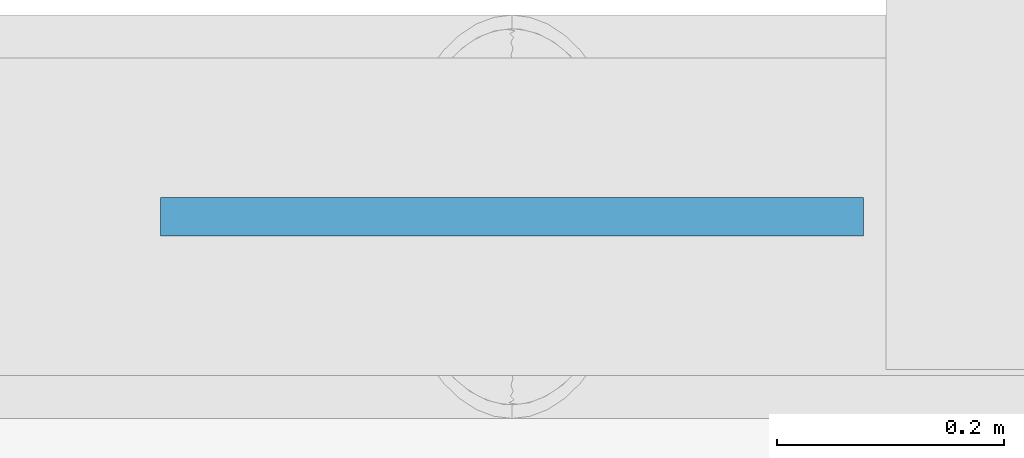
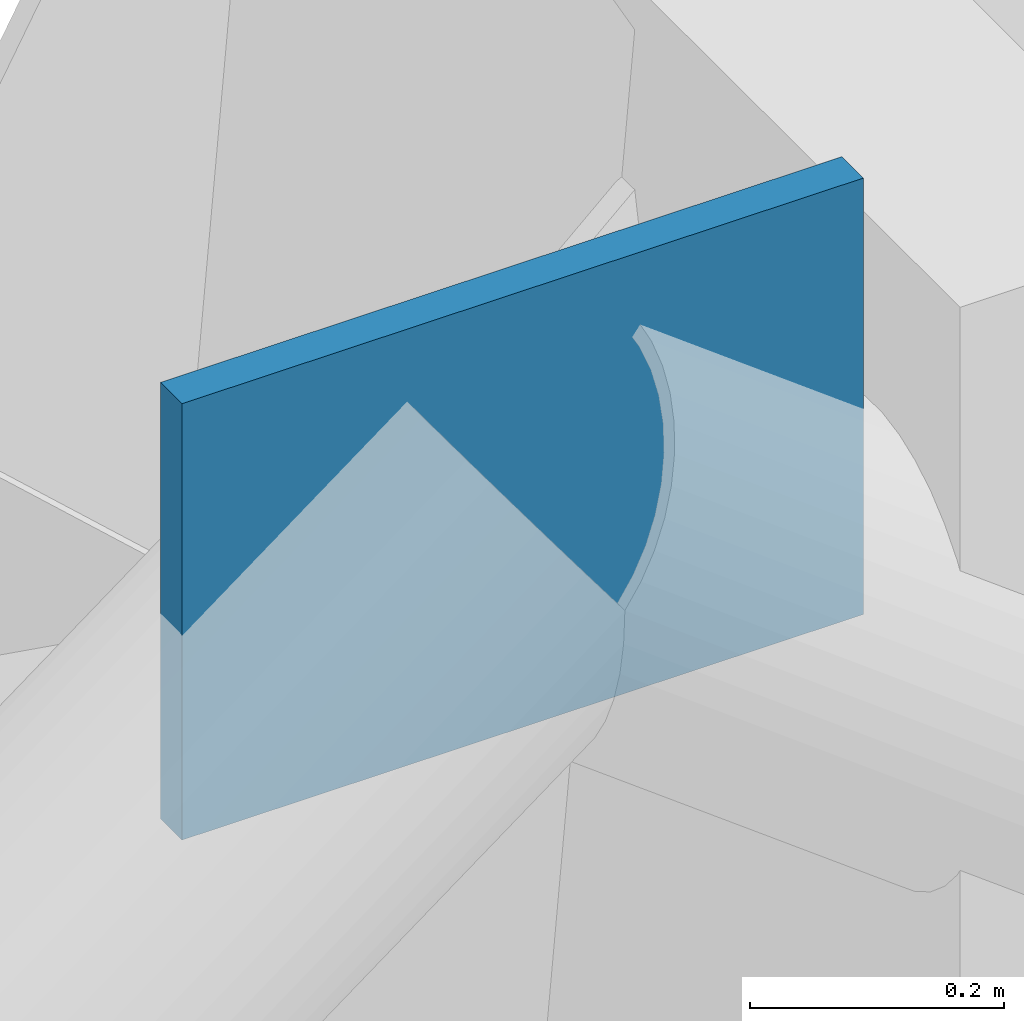
# One storey, part 26 of 52: 1 plate.
"""IFC4 building model written with IfcOpenShell, lengths in metres."""

from ifc_helpers import new_model, si_unit, derived_unit, direction, frame, origin, origin_2d, place, context, subcontext, project, spatial, rectangle, extrude, material, layer, layer_set, type_object, element, save


model = new_model("IFC4")

# Units and contexts
model_context = context("Model", 3, precision=1e-05, world=origin(), true_north=direction((0.0, 1.0)))
body_context = subcontext(model_context, "Body", "Model", "MODEL_VIEW")
ifc_project = project(units=[si_unit("LENGTHUNIT", "METRE"), si_unit("AREAUNIT", "SQUARE_METRE"), si_unit("VOLUMEUNIT", "CUBIC_METRE"), si_unit("PLANEANGLEUNIT", "RADIAN"), si_unit("MASSUNIT", "GRAM", prefix="KILO"), si_unit("THERMODYNAMICTEMPERATUREUNIT", "KELVIN"), derived_unit("THERMALTRANSMITTANCEUNIT", [(si_unit("POWERUNIT", "WATT"), 1), (si_unit("AREAUNIT", "SQUARE_METRE"), -1), (si_unit("THERMODYNAMICTEMPERATUREUNIT", "KELVIN"), -1)])], contexts=[model_context])

# Site, building, storey
site_placement = place(None, origin())
site = spatial("IfcSite", under=ifc_project, at=site_placement, CompositionType="ELEMENT")
building_placement = place(site_placement, origin())
building = spatial("IfcBuilding", under=site, at=building_placement, Name="Haiyu Intermodal Mobility Hub", CompositionType="ELEMENT")
storey_placement = place(building_placement, frame((0.0, 0.0, 21.199951171875)))
storey = spatial("IfcBuildingStorey", under=building, at=storey_placement, Name="L05", CompositionType="ELEMENT", Elevation=21.199951171875)

# Plate
ifc_material = material(Name="Steel Q355C", Category="steel")
ifc_layer = layer(ifc_material, 0.033935546875)
ifc_layer_set = layer_set([ifc_layer], Name="Steel Q355C")
plate_type = type_object("IfcPlateType", Name="PLT-GP04", PredefinedType="USERDEFINED", material=ifc_layer_set)
plate_placement = place(storey_placement, frame((142.0, 148.0, 2.7900390625), z_axis=(0.0, 0.0, 1.0), x_axis=(1.0, 0.0, 0.0)))
element("IfcPlate", 1, at=plate_placement, inside=storey, type_object=plate_type, Name="Chevron Brace Apex Gusset GP-B095", ObjectType="GUSSET PLATE", PredefinedType="USERDEFINED", context=body_context, shape_type="SweptSolid", body=[
    extrude(rectangle(XDim=0.6201171875, YDim=0.033935546875, at=origin_2d()), origin(), (0.0, 0.0, 1.0), 0.419921875),
])

save(model, "model.ifc")
